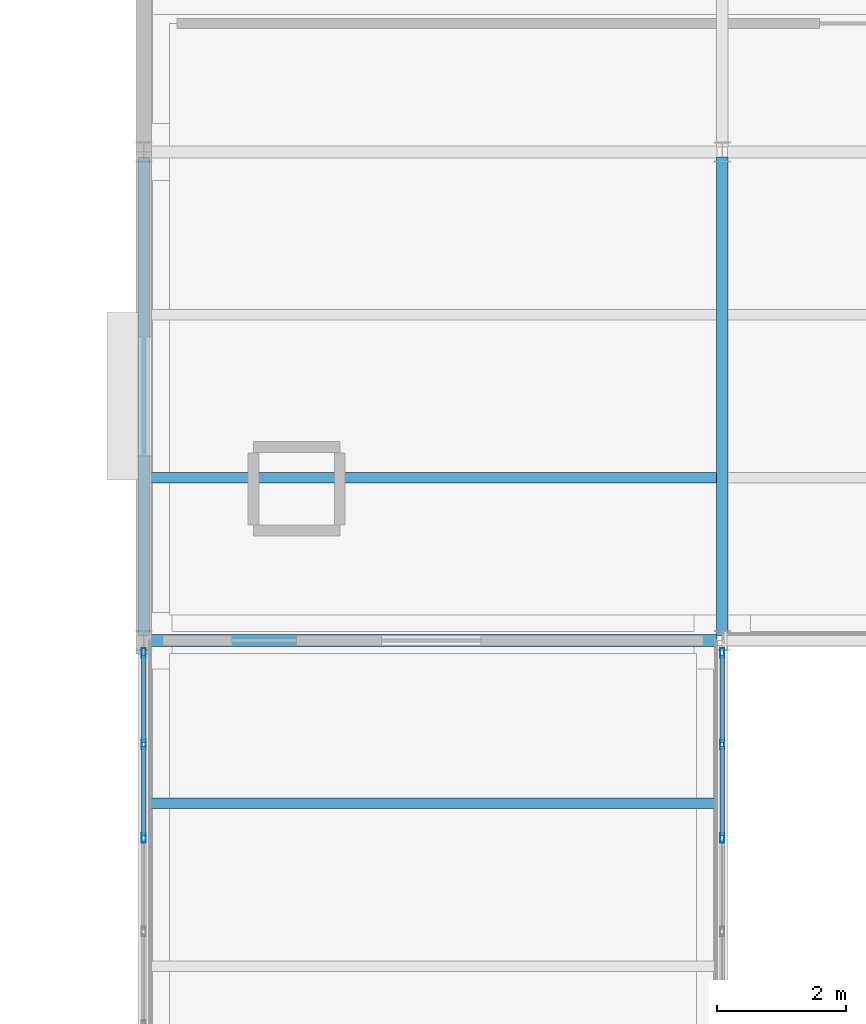
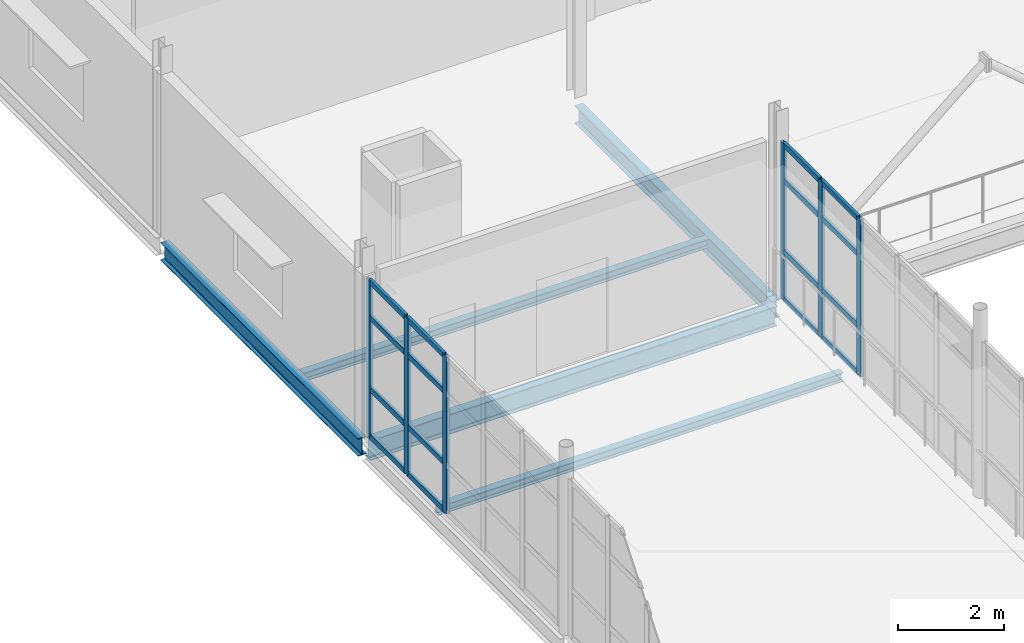
# One storey, part 78 of 174: 22 members, 5 beams, 2 elements without a shape of their own.
"""IFC4 building model written with IfcOpenShell, lengths in metres."""

from ifc_helpers import new_model, si_unit, direction, frame, origin, origin_2d, place, context, subcontext, project, spatial, hollow_rectangle, i_section, extrude, material, material_profile, profile_set, type_object, element, aggregate, save


model = new_model("IFC4")

# Units and contexts
model_context = context("Model", 3, precision=1e-05, world=origin(), true_north=direction((0.0, 1.0)))
body_context = subcontext(model_context, "Body", "Model", "MODEL_VIEW")
ifc_project = project(units=[si_unit("LENGTHUNIT", "METRE"), si_unit("AREAUNIT", "SQUARE_METRE"), si_unit("VOLUMEUNIT", "CUBIC_METRE"), si_unit("PLANEANGLEUNIT", "RADIAN"), si_unit("MASSUNIT", "GRAM", prefix="KILO")], contexts=[model_context])

# Site, building, storey
site_placement = place(None, origin())
site = spatial("IfcSite", under=ifc_project, at=site_placement, CompositionType="ELEMENT")
building_placement = place(site_placement, origin())
building = spatial("IfcBuilding", under=site, at=building_placement, Name="Caisbarro Railhouse Central Library", CompositionType="ELEMENT")
storey_placement = place(building_placement, frame((0.0, 0.0, 5.0400390625)))
storey = spatial("IfcBuildingStorey", under=building, at=storey_placement, Name="L01", CompositionType="ELEMENT", Elevation=5.0400390625)

# Beams
ifc_material_1 = material(Name="Steel ASTM A572 Grade 50", Category="steel")
ifc_material_profile_1 = material_profile(ifc_material_1, i_section(OverallWidth=0.177978515625, OverallDepth=0.406982421875, WebThickness=0.0078125, FlangeThickness=0.0126953125, FilletRadius=0.01611328125, at=origin_2d()), Name="W410X60.0")
ifc_profile_set_1 = profile_set([ifc_material_profile_1], Name="Steel ASTM A572 Grade 50")
beam_type_1 = type_object("IfcBeamType", Name="BM-G10", PredefinedType="BEAM", material=ifc_profile_set_1)
for number, where, z_axis, x_axis, name in (
    (1, (54.0, 83.679931640625, -0.403564453125), (0.0, 1.0, 0.0), (-1.0, 0.0, 0.0), "G10 beam L01 #1184"),
    (2, (63.0, 83.679931640625, -0.403564453125), (0.0, 1.0, 0.0), (-1.0, 0.0, 0.0), "G10 beam L01 #1188"),
):
    element("IfcBeam", number, at=place(storey_placement, frame(where, z_axis=z_axis, x_axis=x_axis)), inside=storey, type_object=beam_type_1, Name=name, PredefinedType="BEAM", context=body_context, shape_type="SweptSolid", body=[
        extrude(i_section(OverallWidth=0.177978515625, OverallDepth=0.406982421875, WebThickness=0.0078125, FlangeThickness=0.0126953125, FilletRadius=0.01611328125, at=origin_2d()), origin(), (0.0, 0.0, 1.0), 7.440185546875),
    ])
ifc_material_profile_2 = material_profile(ifc_material_1, i_section(OverallWidth=0.1650390625, OverallDepth=0.200927734375, WebThickness=0.006103515625, FlangeThickness=0.01025390625, FilletRadius=0.010009765625, at=origin_2d()), Name="W200X35.9")
ifc_profile_set_2 = profile_set([ifc_material_profile_2], Name="Steel ASTM A572 Grade 50")
beam_type_2 = type_object("IfcBeamType", Name="BM-J06", PredefinedType="JOIST", material=ifc_profile_set_2)
for number, where, z_axis, x_axis, name in (
    (3, (54.089111328125, 86.13330078125, -0.300537109375), (1.0, 0.0, 0.0), (0.0, 1.0, 0.0), "J06 beam L01 #1208"),
    (4, (54.089111328125, 81.066650390625, -0.300537109375), (1.0, 0.0, 0.0), (0.0, 1.0, 0.0), "J06 beam L01 #1259"),
):
    element("IfcBeam", number, at=place(storey_placement, frame(where, z_axis=z_axis, x_axis=x_axis)), inside=storey, type_object=beam_type_2, Name=name, PredefinedType="JOIST", context=body_context, shape_type="SweptSolid", body=[
        extrude(i_section(OverallWidth=0.1650390625, OverallDepth=0.200927734375, WebThickness=0.006103515625, FlangeThickness=0.01025390625, FilletRadius=0.010009765625, at=origin_2d()), origin(), (0.0, 0.0, 1.0), 8.82177734375),
    ])
ifc_material_profile_3 = material_profile(ifc_material_1, i_section(OverallWidth=0.18994140625, OverallDepth=0.45703125, WebThickness=0.009033203125, FlangeThickness=0.014404296875, FilletRadius=0.01806640625, at=origin_2d()), Name="W460X74.0")
ifc_profile_set_3 = profile_set([ifc_material_profile_3], Name="Steel ASTM A572 Grade 50")
beam_type_3 = type_object("IfcBeamType", Name="BM-SP01", PredefinedType="SPANDREL", material=ifc_profile_set_3)
beam_placement = place(storey_placement, frame((54.080078125, 83.60009765625, -0.428466796875), z_axis=(1.0, 0.0, 0.0), x_axis=(0.0, 1.0, 0.0)))
element("IfcBeam", 5, at=beam_placement, inside=storey, type_object=beam_type_3, Name="SP01 beam L01 #1159", PredefinedType="SPANDREL", context=body_context, shape_type="SweptSolid", body=[
    extrude(i_section(OverallWidth=0.18994140625, OverallDepth=0.45703125, WebThickness=0.009033203125, FlangeThickness=0.014404296875, FilletRadius=0.01806640625, at=origin_2d()), origin(), (0.0, 0.0, 1.0), 8.83984375),
])

# Curtain wall, members
ifc_material_2 = material(Name="Anodised architectural aluminium", Category="aluminium")
curtain_wall_type = type_object("IfcCurtainWallType", Name="CW-CW03", PredefinedType="NOTDEFINED", material=ifc_material_2)
curtain_wall_1_placement = place(storey_placement, origin())
curtain_wall_1 = element("IfcCurtainWall", 6, at=curtain_wall_1_placement, inside=storey, type_object=curtain_wall_type, Name="CW03 curtain wall L01 #196", PredefinedType="NOTDEFINED")
ifc_material_profile_4 = material_profile(ifc_material_2, hollow_rectangle(XDim=0.06494140625, YDim=0.14990234375, WallThickness=0.00390625, at=origin_2d()), Name="ALU-MUL-65X150")
ifc_profile_set_4 = profile_set([ifc_material_profile_4], Name="Anodised architectural aluminium")
member_type_1 = type_object("IfcMemberType", Name="CWM-M02", PredefinedType="MULLION", material=ifc_profile_set_4)
member_1_placement = place(storey_placement, frame((54.0, 80.528076171875, 0.0), z_axis=(0.0, 0.0, 1.0), x_axis=(-1.0, 0.0, 0.0)))
member_1 = element("IfcMember", 7, at=member_1_placement, type_object=member_type_1, Name="CW03 mullion 4", PredefinedType="MULLION", context=body_context, shape_type="SweptSolid", body=[
    extrude(hollow_rectangle(XDim=0.06494140625, YDim=0.14990234375, WallThickness=0.00390625, at=origin_2d()), origin(), (0.0, 0.0, 1.0), 3.60986328125),
])
member_2_placement = place(storey_placement, frame((54.0, 81.98388671875, 0.0), z_axis=(0.0, 0.0, 1.0), x_axis=(-1.0, 0.0, 0.0)))
member_2 = element("IfcMember", 8, at=member_2_placement, type_object=member_type_1, Name="CW03 mullion 5", PredefinedType="MULLION", context=body_context, shape_type="SweptSolid", body=[
    extrude(hollow_rectangle(XDim=0.06494140625, YDim=0.14990234375, WallThickness=0.00390625, at=origin_2d()), origin(), (0.0, 0.0, 1.0), 3.60986328125),
])
member_3_placement = place(storey_placement, frame((54.0, 83.407470703125, 0.0), z_axis=(0.0, 0.0, 1.0), x_axis=(-1.0, 0.0, 0.0)))
member_3 = element("IfcMember", 9, at=member_3_placement, type_object=member_type_1, Name="CW03 mullion 6", PredefinedType="MULLION", context=body_context, shape_type="SweptSolid", body=[
    extrude(hollow_rectangle(XDim=0.06494140625, YDim=0.14990234375, WallThickness=0.00390625, at=origin_2d()), origin(), (0.0, 0.0, 1.0), 3.60986328125),
])

curtain_wall_2_placement = place(storey_placement, origin())
curtain_wall_2 = element("IfcCurtainWall", 10, at=curtain_wall_2_placement, inside=storey, type_object=curtain_wall_type, Name="CW03 curtain wall L01 #197", PredefinedType="NOTDEFINED")
member_4_placement = place(storey_placement, frame((63.0, 80.528076171875, 0.0), z_axis=(0.0, 0.0, 1.0), x_axis=(-1.0, 0.0, 0.0)))
member_4 = element("IfcMember", 11, at=member_4_placement, type_object=member_type_1, Name="CW03 mullion 4", PredefinedType="MULLION", context=body_context, shape_type="SweptSolid", body=[
    extrude(hollow_rectangle(XDim=0.06494140625, YDim=0.14990234375, WallThickness=0.00390625, at=origin_2d()), origin(), (0.0, 0.0, 1.0), 3.60986328125),
])
member_5_placement = place(storey_placement, frame((63.0, 81.98388671875, 0.0), z_axis=(0.0, 0.0, 1.0), x_axis=(-1.0, 0.0, 0.0)))
member_5 = element("IfcMember", 12, at=member_5_placement, type_object=member_type_1, Name="CW03 mullion 5", PredefinedType="MULLION", context=body_context, shape_type="SweptSolid", body=[
    extrude(hollow_rectangle(XDim=0.06494140625, YDim=0.14990234375, WallThickness=0.00390625, at=origin_2d()), origin(), (0.0, 0.0, 1.0), 3.60986328125),
])
member_6_placement = place(storey_placement, frame((63.0, 83.407470703125, 0.0), z_axis=(0.0, 0.0, 1.0), x_axis=(-1.0, 0.0, 0.0)))
member_6 = element("IfcMember", 13, at=member_6_placement, type_object=member_type_1, Name="CW03 mullion 6", PredefinedType="MULLION", context=body_context, shape_type="SweptSolid", body=[
    extrude(hollow_rectangle(XDim=0.06494140625, YDim=0.14990234375, WallThickness=0.00390625, at=origin_2d()), origin(), (0.0, 0.0, 1.0), 3.60986328125),
])

# Member
ifc_material_profile_5 = material_profile(ifc_material_2, hollow_rectangle(XDim=0.06494140625, YDim=0.1201171875, WallThickness=0.00341796875, at=origin_2d()), Name="ALU-TRN-65X120")
ifc_profile_set_5 = profile_set([ifc_material_profile_5], Name="Anodised architectural aluminium")
member_type_2 = type_object("IfcMemberType", Name="CWT-T02", PredefinedType="USERDEFINED", material=ifc_profile_set_5)
member_7_placement = place(storey_placement, frame((54.0, 80.560546875, 0.032470703125), z_axis=(0.0, 1.0, 0.0), x_axis=(-1.0, 0.0, 0.0)))
member_7 = element("IfcMember", 14, at=member_7_placement, type_object=member_type_2, Name="CW03 transom 4.1", ObjectType="TRANSOM", PredefinedType="USERDEFINED", context=body_context, shape_type="SweptSolid", body=[
    extrude(hollow_rectangle(XDim=0.06494140625, YDim=0.1201171875, WallThickness=0.00341796875, at=origin_2d()), origin(), (0.0, 0.0, 1.0), 1.390869140625),
])

member_8_placement = place(storey_placement, frame((54.0, 80.560546875, 1.119873046875), z_axis=(0.0, 1.0, 0.0), x_axis=(-1.0, 0.0, 0.0)))
member_8 = element("IfcMember", 15, at=member_8_placement, type_object=member_type_2, Name="CW03 transom 4.2", ObjectType="TRANSOM", PredefinedType="USERDEFINED", context=body_context, shape_type="SweptSolid", body=[
    extrude(hollow_rectangle(XDim=0.06494140625, YDim=0.1201171875, WallThickness=0.00341796875, at=origin_2d()), origin(), (0.0, 0.0, 1.0), 1.390869140625),
])

member_9_placement = place(storey_placement, frame((54.0, 80.560546875, 2.760009765625), z_axis=(0.0, 1.0, 0.0), x_axis=(-1.0, 0.0, 0.0)))
member_9 = element("IfcMember", 16, at=member_9_placement, type_object=member_type_2, Name="CW03 transom 4.3", ObjectType="TRANSOM", PredefinedType="USERDEFINED", context=body_context, shape_type="SweptSolid", body=[
    extrude(hollow_rectangle(XDim=0.06494140625, YDim=0.1201171875, WallThickness=0.00341796875, at=origin_2d()), origin(), (0.0, 0.0, 1.0), 1.390869140625),
])

member_10_placement = place(storey_placement, frame((54.0, 80.560546875, 3.577392578125), z_axis=(0.0, 1.0, 0.0), x_axis=(-1.0, 0.0, 0.0)))
member_10 = element("IfcMember", 17, at=member_10_placement, type_object=member_type_2, Name="CW03 transom 4.4", ObjectType="TRANSOM", PredefinedType="USERDEFINED", context=body_context, shape_type="SweptSolid", body=[
    extrude(hollow_rectangle(XDim=0.06494140625, YDim=0.1201171875, WallThickness=0.00341796875, at=origin_2d()), origin(), (0.0, 0.0, 1.0), 1.390869140625),
])

member_11_placement = place(storey_placement, frame((54.0, 82.0166015625, 0.032470703125), z_axis=(0.0, 1.0, 0.0), x_axis=(-1.0, 0.0, 0.0)))
member_11 = element("IfcMember", 18, at=member_11_placement, type_object=member_type_2, Name="CW03 transom 5.1", ObjectType="TRANSOM", PredefinedType="USERDEFINED", context=body_context, shape_type="SweptSolid", body=[
    extrude(hollow_rectangle(XDim=0.06494140625, YDim=0.1201171875, WallThickness=0.00341796875, at=origin_2d()), origin(), (0.0, 0.0, 1.0), 1.3583984375),
])

member_12_placement = place(storey_placement, frame((54.0, 82.0166015625, 1.119873046875), z_axis=(0.0, 1.0, 0.0), x_axis=(-1.0, 0.0, 0.0)))
member_12 = element("IfcMember", 19, at=member_12_placement, type_object=member_type_2, Name="CW03 transom 5.2", ObjectType="TRANSOM", PredefinedType="USERDEFINED", context=body_context, shape_type="SweptSolid", body=[
    extrude(hollow_rectangle(XDim=0.06494140625, YDim=0.1201171875, WallThickness=0.00341796875, at=origin_2d()), origin(), (0.0, 0.0, 1.0), 1.3583984375),
])

member_13_placement = place(storey_placement, frame((54.0, 82.0166015625, 2.760009765625), z_axis=(0.0, 1.0, 0.0), x_axis=(-1.0, 0.0, 0.0)))
member_13 = element("IfcMember", 20, at=member_13_placement, type_object=member_type_2, Name="CW03 transom 5.3", ObjectType="TRANSOM", PredefinedType="USERDEFINED", context=body_context, shape_type="SweptSolid", body=[
    extrude(hollow_rectangle(XDim=0.06494140625, YDim=0.1201171875, WallThickness=0.00341796875, at=origin_2d()), origin(), (0.0, 0.0, 1.0), 1.3583984375),
])

member_14_placement = place(storey_placement, frame((54.0, 82.0166015625, 3.577392578125), z_axis=(0.0, 1.0, 0.0), x_axis=(-1.0, 0.0, 0.0)))
member_14 = element("IfcMember", 21, at=member_14_placement, type_object=member_type_2, Name="CW03 transom 5.4", ObjectType="TRANSOM", PredefinedType="USERDEFINED", context=body_context, shape_type="SweptSolid", body=[
    extrude(hollow_rectangle(XDim=0.06494140625, YDim=0.1201171875, WallThickness=0.00341796875, at=origin_2d()), origin(), (0.0, 0.0, 1.0), 1.3583984375),
])

aggregate(curtain_wall_1, [member_1, member_2, member_3, member_7, member_8, member_9, member_10, member_11, member_12, member_13, member_14])

member_15_placement = place(storey_placement, frame((63.0, 80.560546875, 0.032470703125), z_axis=(0.0, 1.0, 0.0), x_axis=(-1.0, 0.0, 0.0)))
member_15 = element("IfcMember", 22, at=member_15_placement, type_object=member_type_2, Name="CW03 transom 4.1", ObjectType="TRANSOM", PredefinedType="USERDEFINED", context=body_context, shape_type="SweptSolid", body=[
    extrude(hollow_rectangle(XDim=0.06494140625, YDim=0.1201171875, WallThickness=0.00341796875, at=origin_2d()), origin(), (0.0, 0.0, 1.0), 1.390869140625),
])

member_16_placement = place(storey_placement, frame((63.0, 80.560546875, 1.119873046875), z_axis=(0.0, 1.0, 0.0), x_axis=(-1.0, 0.0, 0.0)))
member_16 = element("IfcMember", 23, at=member_16_placement, type_object=member_type_2, Name="CW03 transom 4.2", ObjectType="TRANSOM", PredefinedType="USERDEFINED", context=body_context, shape_type="SweptSolid", body=[
    extrude(hollow_rectangle(XDim=0.06494140625, YDim=0.1201171875, WallThickness=0.00341796875, at=origin_2d()), origin(), (0.0, 0.0, 1.0), 1.390869140625),
])

member_17_placement = place(storey_placement, frame((63.0, 80.560546875, 2.760009765625), z_axis=(0.0, 1.0, 0.0), x_axis=(-1.0, 0.0, 0.0)))
member_17 = element("IfcMember", 24, at=member_17_placement, type_object=member_type_2, Name="CW03 transom 4.3", ObjectType="TRANSOM", PredefinedType="USERDEFINED", context=body_context, shape_type="SweptSolid", body=[
    extrude(hollow_rectangle(XDim=0.06494140625, YDim=0.1201171875, WallThickness=0.00341796875, at=origin_2d()), origin(), (0.0, 0.0, 1.0), 1.390869140625),
])

member_18_placement = place(storey_placement, frame((63.0, 80.560546875, 3.577392578125), z_axis=(0.0, 1.0, 0.0), x_axis=(-1.0, 0.0, 0.0)))
member_18 = element("IfcMember", 25, at=member_18_placement, type_object=member_type_2, Name="CW03 transom 4.4", ObjectType="TRANSOM", PredefinedType="USERDEFINED", context=body_context, shape_type="SweptSolid", body=[
    extrude(hollow_rectangle(XDim=0.06494140625, YDim=0.1201171875, WallThickness=0.00341796875, at=origin_2d()), origin(), (0.0, 0.0, 1.0), 1.390869140625),
])

member_19_placement = place(storey_placement, frame((63.0, 82.0166015625, 0.032470703125), z_axis=(0.0, 1.0, 0.0), x_axis=(-1.0, 0.0, 0.0)))
member_19 = element("IfcMember", 26, at=member_19_placement, type_object=member_type_2, Name="CW03 transom 5.1", ObjectType="TRANSOM", PredefinedType="USERDEFINED", context=body_context, shape_type="SweptSolid", body=[
    extrude(hollow_rectangle(XDim=0.06494140625, YDim=0.1201171875, WallThickness=0.00341796875, at=origin_2d()), origin(), (0.0, 0.0, 1.0), 1.3583984375),
])

member_20_placement = place(storey_placement, frame((63.0, 82.0166015625, 1.119873046875), z_axis=(0.0, 1.0, 0.0), x_axis=(-1.0, 0.0, 0.0)))
member_20 = element("IfcMember", 27, at=member_20_placement, type_object=member_type_2, Name="CW03 transom 5.2", ObjectType="TRANSOM", PredefinedType="USERDEFINED", context=body_context, shape_type="SweptSolid", body=[
    extrude(hollow_rectangle(XDim=0.06494140625, YDim=0.1201171875, WallThickness=0.00341796875, at=origin_2d()), origin(), (0.0, 0.0, 1.0), 1.3583984375),
])

member_21_placement = place(storey_placement, frame((63.0, 82.0166015625, 2.760009765625), z_axis=(0.0, 1.0, 0.0), x_axis=(-1.0, 0.0, 0.0)))
member_21 = element("IfcMember", 28, at=member_21_placement, type_object=member_type_2, Name="CW03 transom 5.3", ObjectType="TRANSOM", PredefinedType="USERDEFINED", context=body_context, shape_type="SweptSolid", body=[
    extrude(hollow_rectangle(XDim=0.06494140625, YDim=0.1201171875, WallThickness=0.00341796875, at=origin_2d()), origin(), (0.0, 0.0, 1.0), 1.3583984375),
])

member_22_placement = place(storey_placement, frame((63.0, 82.0166015625, 3.577392578125), z_axis=(0.0, 1.0, 0.0), x_axis=(-1.0, 0.0, 0.0)))
member_22 = element("IfcMember", 29, at=member_22_placement, type_object=member_type_2, Name="CW03 transom 5.4", ObjectType="TRANSOM", PredefinedType="USERDEFINED", context=body_context, shape_type="SweptSolid", body=[
    extrude(hollow_rectangle(XDim=0.06494140625, YDim=0.1201171875, WallThickness=0.00341796875, at=origin_2d()), origin(), (0.0, 0.0, 1.0), 1.3583984375),
])

aggregate(curtain_wall_2, [member_4, member_5, member_6, member_15, member_16, member_17, member_18, member_19, member_20, member_21, member_22])

save(model, "model.ifc")
